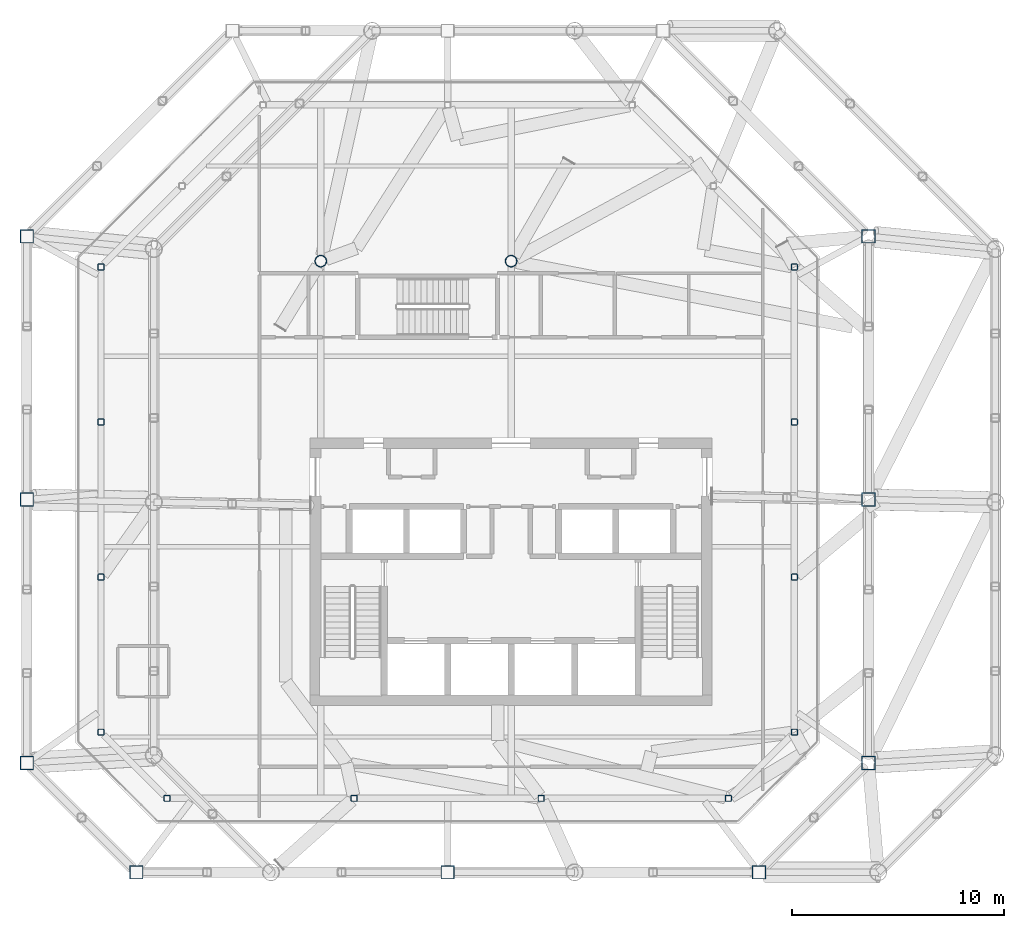
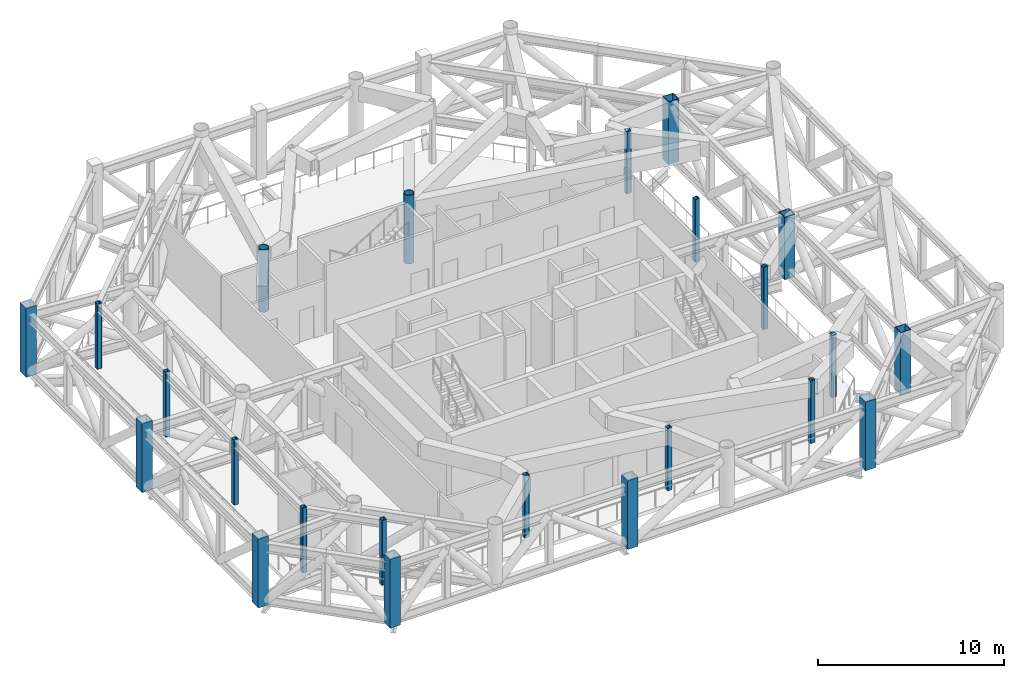
# One storey, part 1 of 14: 23 columns.
"""IFC4 building model written with IfcOpenShell, lengths in metres."""

from ifc_helpers import new_model, si_unit, direction, frame, origin, origin_2d, place, context, subcontext, project, spatial, hollow_rectangle, hollow_circle, extrude, material, material_profile, profile_set, type_object, element, save


model = new_model("IFC4")

# Units and contexts
model_context = context("Model", 3, precision=1e-05, world=origin(), true_north=direction((0.0, 1.0)))
body_context = subcontext(model_context, "Body", "Model", "MODEL_VIEW")
ifc_project = project(units=[si_unit("LENGTHUNIT", "METRE"), si_unit("AREAUNIT", "SQUARE_METRE"), si_unit("VOLUMEUNIT", "CUBIC_METRE"), si_unit("PLANEANGLEUNIT", "RADIAN"), si_unit("MASSUNIT", "GRAM", prefix="KILO")], contexts=[model_context])

# Site, building, storey
site_placement = place(None, origin())
site = spatial("IfcSite", under=ifc_project, at=site_placement, CompositionType="ELEMENT")
building_placement = place(site_placement, origin())
building = spatial("IfcBuilding", under=site, at=building_placement, Name="Tskaro Facet Tower", CompositionType="ELEMENT")
storey_placement = place(building_placement, frame((0.0, 0.0, 255.0)))
storey = spatial("IfcBuildingStorey", under=building, at=storey_placement, Name="L67", CompositionType="ELEMENT", Elevation=255.0)

# Columns
ifc_material_1 = material(Name="Steel S355J2", Category="steel")
ifc_material_profile_1 = material_profile(ifc_material_1, hollow_rectangle(XDim=0.64990234375, YDim=0.64990234375, WallThickness=0.0400390625, at=origin_2d()), Name="BOX 650x650x40")
ifc_profile_set_1 = profile_set([ifc_material_profile_1], Name="Steel S355J2")
column_type_1 = type_object("IfcColumnType", Name="BOX 650x650x40 mega column", PredefinedType="COLUMN", material=ifc_profile_set_1)
for number, where, z_axis, x_axis, name in (
    (1, (-17.718994140625, -19.89306640625, 0.0), (0.0, 0.0, 1.0), (1.0, 0.0, 0.0), "BOX 650x650x40 MC01/5T"),
    (2, (-3.0, -19.89306640625, 0.0), (0.0, 0.0, 1.0), (1.0, 0.0, 0.0), "BOX 650x650x40 MC02/5T"),
    (3, (11.718994140625, -19.89306640625, 0.0), (0.0, 0.0, 1.0), (1.0, 0.0, 0.0), "BOX 650x650x40 MC03/5T"),
):
    element("IfcColumn", number, at=place(storey_placement, frame(where, z_axis=z_axis, x_axis=x_axis)), inside=storey, type_object=column_type_1, Name=name, PredefinedType="COLUMN", context=body_context, shape_type="SweptSolid", body=[
        extrude(hollow_rectangle(XDim=0.64990234375, YDim=0.64990234375, WallThickness=0.0400390625, at=origin_2d()), origin(), (0.0, 0.0, 1.0), 4.5),
    ])
for number, where, z_axis, x_axis, name in (
    (4, (16.89306640625, -14.718994140625, 0.0), (0.0, 0.0, 1.0), (1.0, 0.0, 0.0), "BOX 650x650x40 MC04/5T"),
    (5, (16.89306640625, -2.27099609375, 0.0), (0.0, 0.0, 1.0), (1.0, 0.0, 0.0), "BOX 650x650x40 MC05/5T"),
    (6, (16.89306640625, 10.176025390625, 0.0), (0.0, 0.0, 1.0), (1.0, 0.0, 0.0), "BOX 650x650x40 MC06/5T"),
):
    element("IfcColumn", number, at=place(storey_placement, frame(where, z_axis=z_axis, x_axis=x_axis)), inside=storey, type_object=column_type_1, Name=name, PredefinedType="COLUMN", context=body_context, shape_type="SweptSolid", body=[
        extrude(hollow_rectangle(XDim=0.64990234375, YDim=0.64990234375, WallThickness=0.0400390625, at=origin_2d()), origin(), (0.0, 0.0, 1.0), 4.080078125),
    ])
for number, where, z_axis, x_axis, name in (
    (7, (-22.89306640625, 10.176025390625, 0.0), (0.0, 0.0, 1.0), (1.0, 0.0, 0.0), "BOX 650x650x40 MC10/5T"),
    (8, (-22.89306640625, -2.27099609375, 0.0), (0.0, 0.0, 1.0), (1.0, 0.0, 0.0), "BOX 650x650x40 MC11/5T"),
    (9, (-22.89306640625, -14.718994140625, 0.0), (0.0, 0.0, 1.0), (1.0, 0.0, 0.0), "BOX 650x650x40 MC12/5T"),
):
    element("IfcColumn", number, at=place(storey_placement, frame(where, z_axis=z_axis, x_axis=x_axis)), inside=storey, type_object=column_type_1, Name=name, PredefinedType="COLUMN", context=body_context, shape_type="SweptSolid", body=[
        extrude(hollow_rectangle(XDim=0.64990234375, YDim=0.64990234375, WallThickness=0.0400390625, at=origin_2d()), origin(), (0.0, 0.0, 1.0), 4.5),
    ])
ifc_material_2 = material(Name="Steel S355J2H", Category="steel")
ifc_material_profile_2 = material_profile(ifc_material_2, hollow_circle(Radius=0.279541015625, WallThickness=0.02490234375, at=origin_2d()), Name="CHS 559x25")
ifc_profile_set_2 = profile_set([ifc_material_profile_2], Name="Steel S355J2H")
column_type_2 = type_object("IfcColumnType", Name="CHS 559x25 interior column", PredefinedType="COLUMN", material=ifc_profile_set_2)
column_1_placement = place(storey_placement, frame((-9.0, 9.0, 0.0), z_axis=(0.0, 0.0, 1.0), x_axis=(1.0, 0.0, 0.0)))
element("IfcColumn", 10, at=column_1_placement, inside=storey, type_object=column_type_2, Name="CHS 559x25 C3E/5", PredefinedType="COLUMN", context=body_context, shape_type="SweptSolid", body=[
    extrude(hollow_circle(Radius=0.279541015625, WallThickness=0.02490234375, at=origin_2d()), origin(), (0.0, 0.0, 1.0), 4.080078125),
])
column_2_placement = place(storey_placement, frame((0.0, 9.0, 0.0), z_axis=(0.0, 0.0, 1.0), x_axis=(1.0, 0.0, 0.0)))
element("IfcColumn", 11, at=column_2_placement, inside=storey, type_object=column_type_2, Name="CHS 559x25 C4E/5", PredefinedType="COLUMN", context=body_context, shape_type="SweptSolid", body=[
    extrude(hollow_circle(Radius=0.279541015625, WallThickness=0.02490234375, at=origin_2d()), origin(), (0.0, 0.0, 1.0), 4.5),
])
ifc_material_profile_3 = material_profile(ifc_material_2, hollow_rectangle(XDim=0.300048828125, YDim=0.300048828125, WallThickness=0.02001953125, InnerFilletRadius=0.030029296875, OuterFilletRadius=0.050048828125, at=origin_2d()), Name="SHS 300x300x20")
ifc_profile_set_3 = profile_set([ifc_material_profile_3], Name="Steel S355J2H")
column_type_3 = type_object("IfcColumnType", Name="SHS 300x300x20 ring column", PredefinedType="COLUMN", material=ifc_profile_set_3)
column_3_placement = place(storey_placement, frame((-16.26806640625, -16.39111328125, 0.0), z_axis=(0.0, 0.0, 1.0), x_axis=(1.0, 0.0, 0.0)))
element("IfcColumn", 12, at=column_3_placement, inside=storey, type_object=column_type_3, Name="SHS 300x300x20 RS-1/5", PredefinedType="COLUMN", context=body_context, shape_type="SweptSolid", body=[
    extrude(hollow_rectangle(XDim=0.300048828125, YDim=0.300048828125, WallThickness=0.02001953125, InnerFilletRadius=0.030029296875, OuterFilletRadius=0.050048828125, at=origin_2d()), origin(), (0.0, 0.0, 1.0), 4.25),
])
for number, where, z_axis, x_axis, name in (
    (13, (-7.423095703125, -16.39111328125, 0.0), (0.0, 0.0, 1.0), (1.0, 0.0, 0.0), "SHS 300x300x20 RS-2/5"),
    (14, (1.423095703125, -16.39111328125, 0.0), (0.0, 0.0, 1.0), (1.0, 0.0, 0.0), "SHS 300x300x20 RS-3/5"),
    (15, (10.26806640625, -16.39111328125, 0.0), (0.0, 0.0, 1.0), (1.0, 0.0, 0.0), "SHS 300x300x20 RSE-1/5"),
    (16, (13.39111328125, -13.26806640625, 0.0), (0.0, 0.0, 1.0), (1.0, 0.0, 0.0), "SHS 300x300x20 RE-1/5"),
    (17, (13.39111328125, -5.93701171875, 0.0), (0.0, 0.0, 1.0), (1.0, 0.0, 0.0), "SHS 300x300x20 RE-2/5"),
    (18, (13.39111328125, 1.39404296875, 0.0), (0.0, 0.0, 1.0), (1.0, 0.0, 0.0), "SHS 300x300x20 RE-3/5"),
    (19, (13.39111328125, 8.72509765625, 0.0), (0.0, 0.0, 1.0), (1.0, 0.0, 0.0), "SHS 300x300x20 RNE-1/5"),
):
    element("IfcColumn", number, at=place(storey_placement, frame(where, z_axis=z_axis, x_axis=x_axis)), inside=storey, type_object=column_type_3, Name=name, PredefinedType="COLUMN", context=body_context, shape_type="SweptSolid", body=[
        extrude(hollow_rectangle(XDim=0.300048828125, YDim=0.300048828125, WallThickness=0.02001953125, InnerFilletRadius=0.030029296875, OuterFilletRadius=0.050048828125, at=origin_2d()), origin(), (0.0, 0.0, 1.0), 4.080078125),
    ])
for number, where, z_axis, x_axis, name in (
    (20, (-19.39111328125, 8.72509765625, 0.0), (0.0, 0.0, 1.0), (1.0, 0.0, 0.0), "SHS 300x300x20 RW-1/5"),
    (21, (-19.39111328125, 1.39404296875, 0.0), (0.0, 0.0, 1.0), (1.0, 0.0, 0.0), "SHS 300x300x20 RW-2/5"),
    (22, (-19.39111328125, -5.93701171875, 0.0), (0.0, 0.0, 1.0), (1.0, 0.0, 0.0), "SHS 300x300x20 RW-3/5"),
    (23, (-19.39111328125, -13.26806640625, 0.0), (0.0, 0.0, 1.0), (1.0, 0.0, 0.0), "SHS 300x300x20 RSW-1/5"),
):
    element("IfcColumn", number, at=place(storey_placement, frame(where, z_axis=z_axis, x_axis=x_axis)), inside=storey, type_object=column_type_3, Name=name, PredefinedType="COLUMN", context=body_context, shape_type="SweptSolid", body=[
        extrude(hollow_rectangle(XDim=0.300048828125, YDim=0.300048828125, WallThickness=0.02001953125, InnerFilletRadius=0.030029296875, OuterFilletRadius=0.050048828125, at=origin_2d()), origin(), (0.0, 0.0, 1.0), 4.25),
    ])

save(model, "model.ifc")
